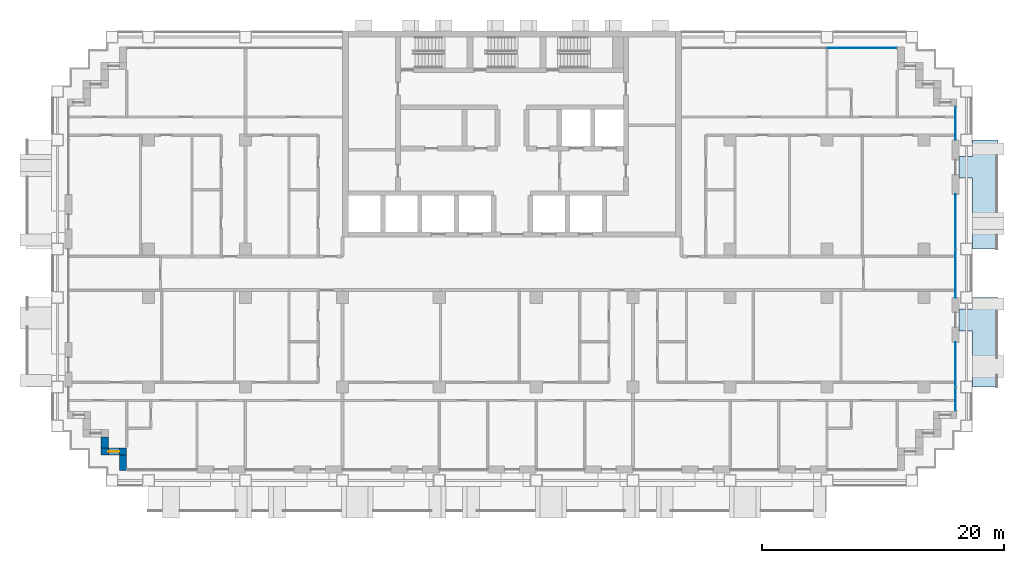
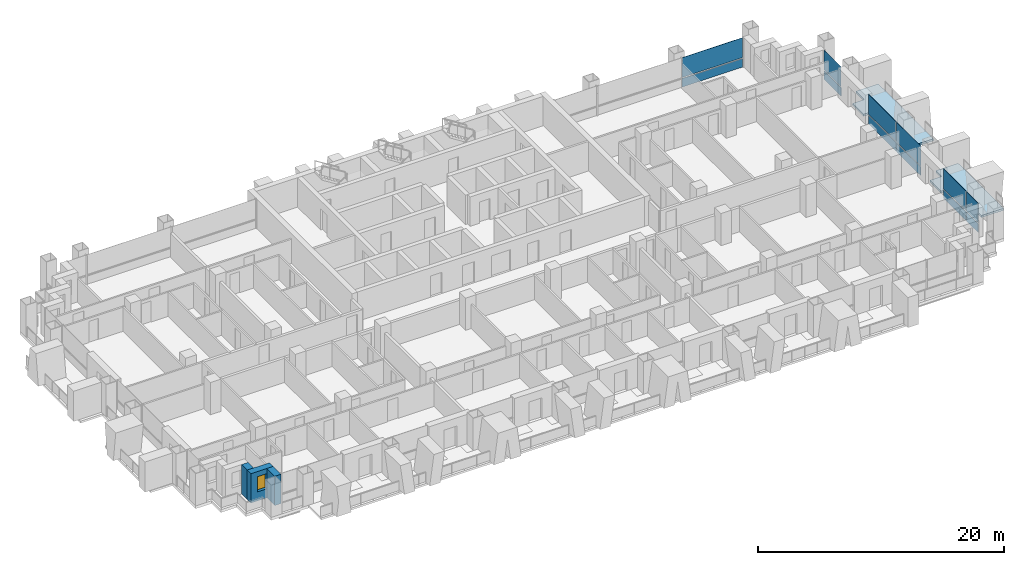
# One storey, part 8 of 18: 12 plates, 3 walls, 2 slabs, 1 window, 1 opening, 4 elements without a shape of their own.
"""IFC4 building model written with IfcOpenShell, lengths in metres."""

from ifc_helpers import new_model, si_unit, direction, frame, frame_2d, origin, origin_2d, place, context, subcontext, project, spatial, polyline, rectangle, outline, extrude, material, layer, layer_set, type_object, element, fill, aggregate, save


model = new_model("IFC4")

# Units and contexts
model_context = context("Model", 3, precision=1e-05, world=origin(), true_north=direction((0.0, 1.0)))
body_context = subcontext(model_context, "Body", "Model", "MODEL_VIEW")
ifc_project = project(units=[si_unit("LENGTHUNIT", "METRE"), si_unit("AREAUNIT", "SQUARE_METRE"), si_unit("VOLUMEUNIT", "CUBIC_METRE"), si_unit("PLANEANGLEUNIT", "RADIAN"), si_unit("MASSUNIT", "GRAM", prefix="KILO")], contexts=[model_context])

# Site, building, storey
site_placement = place(None, origin())
site = spatial("IfcSite", under=ifc_project, at=site_placement, CompositionType="ELEMENT")
building_placement = place(site_placement, origin())
building = spatial("IfcBuilding", under=site, at=building_placement, Name="Vidyagriha Tower", CompositionType="ELEMENT")
storey_placement = place(building_placement, frame((0.0, 0.0, 51.199951171875)))
storey = spatial("IfcBuildingStorey", under=building, at=storey_placement, Name="L13", CompositionType="ELEMENT", Elevation=51.199951171875)

# Curtain wall, plate
ifc_material_1 = material(Name="Aluminium and glass curtain wall", Category="aluminium")
curtain_wall_type = type_object("IfcCurtainWallType", Name="Dwelling skin unitised curtain wall", PredefinedType="USERDEFINED", material=ifc_material_1)
curtain_wall_1_placement = place(storey_placement, origin())
curtain_wall_1 = element("IfcCurtainWall", 1, at=curtain_wall_1_placement, inside=storey, type_object=curtain_wall_type, Name="CW1 dwelling skin", ObjectType="UNITISED", PredefinedType="USERDEFINED")
ifc_material_2 = material(Name="Glass dark ceramic-fritted spandrel", Category="glass")
ifc_layer_1 = layer(ifc_material_2, 0.0400390625)
ifc_layer_set_1 = layer_set([ifc_layer_1], Name="Glass dark ceramic-fritted spandrel")
plate_type_1 = type_object("IfcPlateType", Name="Ceramic-fritted spandrel panel", PredefinedType="CURTAIN_PANEL", material=ifc_layer_set_1)
plate_1_placement = place(storey_placement, frame((28.882568359375, 18.60009765625, 0.0), z_axis=(0.0, 0.0, 1.0), x_axis=(-1.0, 0.0, 0.0)))
plate_1 = element("IfcPlate", 2, at=plate_1_placement, type_object=plate_type_1, Name="CW1 panel 1.1", PredefinedType="CURTAIN_PANEL", context=body_context, shape_type="SweptSolid", body=[
    extrude(rectangle(XDim=5.695068359375, YDim=0.0400390625, at=origin_2d()), origin(), (0.0, 0.0, 1.0), 0.85009765625),
])

# Curtain wall, plates
curtain_wall_2_placement = place(storey_placement, origin())
curtain_wall_2 = element("IfcCurtainWall", 3, at=curtain_wall_2_placement, inside=storey, type_object=curtain_wall_type, Name="CW1 dwelling skin", ObjectType="UNITISED", PredefinedType="USERDEFINED")
plate_2_placement = place(storey_placement, frame((36.60009765625, -10.382568359375, 0.0), z_axis=(0.0, 0.0, 1.0), x_axis=(0.0, 1.0, 0.0)))
plate_2 = element("IfcPlate", 4, at=plate_2_placement, type_object=plate_type_1, Name="CW1 panel 1.1", PredefinedType="CURTAIN_PANEL", context=body_context, shape_type="SweptSolid", body=[
    extrude(rectangle(XDim=1.89501953125, YDim=0.0400390625, at=origin_2d()), origin(), (0.0, 0.0, 1.0), 0.85009765625),
])
plate_3_placement = place(storey_placement, frame((36.60009765625, -7.532470703125, 0.0), z_axis=(0.0, 0.0, 1.0), x_axis=(0.0, 1.0, 0.0)))
plate_3 = element("IfcPlate", 5, at=plate_3_placement, type_object=plate_type_1, Name="CW1 panel 2.1", PredefinedType="CURTAIN_PANEL", context=body_context, shape_type="SweptSolid", body=[
    extrude(rectangle(XDim=3.6650390625, YDim=0.0400390625, at=origin_2d()), origin(), (0.0, 0.0, 1.0), 0.85009765625),
])

# Curtain wall, plate
curtain_wall_3_placement = place(storey_placement, origin())
curtain_wall_3 = element("IfcCurtainWall", 6, at=curtain_wall_3_placement, inside=storey, type_object=curtain_wall_type, Name="CW1 dwelling skin", ObjectType="UNITISED", PredefinedType="USERDEFINED")
plate_4_placement = place(storey_placement, frame((36.60009765625, 12.364990234375, 0.0), z_axis=(0.0, 0.0, 1.0), x_axis=(0.0, 1.0, 0.0)))
plate_4 = element("IfcPlate", 7, at=plate_4_placement, type_object=plate_type_1, Name="CW1 panel 1.1", PredefinedType="CURTAIN_PANEL", context=body_context, shape_type="SweptSolid", body=[
    extrude(rectangle(XDim=2.72998046875, YDim=0.0400390625, at=origin_2d()), origin(), (0.0, 0.0, 1.0), 0.85009765625),
])

# Plate
ifc_material_3 = material(Name="Glass dark ceramic-fritted", Category="glass")
ifc_layer_2 = layer(ifc_material_3, 0.028076171875)
ifc_layer_set_2 = layer_set([ifc_layer_2], Name="Glass dark ceramic-fritted")
plate_type_2 = type_object("IfcPlateType", Name="Dark ceramic-fritted vision glass panel", PredefinedType="CURTAIN_PANEL", material=ifc_layer_set_2)
plate_5_placement = place(storey_placement, frame((28.882568359375, 18.60009765625, 0.9501953125), z_axis=(0.0, 0.0, 1.0), x_axis=(-1.0, 0.0, 0.0)))
plate_5 = element("IfcPlate", 8, at=plate_5_placement, type_object=plate_type_2, Name="CW1 panel 1.2", PredefinedType="CURTAIN_PANEL", context=body_context, shape_type="SweptSolid", body=[
    extrude(rectangle(XDim=5.695068359375, YDim=0.028076171875, at=origin_2d()), origin(), (0.0, 0.0, 1.0), 1.969970703125),
])

aggregate(curtain_wall_1, [plate_1, plate_5])

plate_6_placement = place(storey_placement, frame((36.60009765625, -10.382568359375, 0.9501953125), z_axis=(0.0, 0.0, 1.0), x_axis=(0.0, 1.0, 0.0)))
plate_6 = element("IfcPlate", 9, at=plate_6_placement, type_object=plate_type_2, Name="CW1 panel 1.2", PredefinedType="CURTAIN_PANEL", context=body_context, shape_type="SweptSolid", body=[
    extrude(rectangle(XDim=1.89501953125, YDim=0.028076171875, at=origin_2d()), origin(), (0.0, 0.0, 1.0), 1.969970703125),
])

plate_7_placement = place(storey_placement, frame((36.60009765625, -7.532470703125, 0.9501953125), z_axis=(0.0, 0.0, 1.0), x_axis=(0.0, 1.0, 0.0)))
plate_7 = element("IfcPlate", 10, at=plate_7_placement, type_object=plate_type_2, Name="CW1 panel 2.2", PredefinedType="CURTAIN_PANEL", context=body_context, shape_type="SweptSolid", body=[
    extrude(rectangle(XDim=3.6650390625, YDim=0.028076171875, at=origin_2d()), origin(), (0.0, 0.0, 1.0), 1.969970703125),
])

aggregate(curtain_wall_2, [plate_2, plate_6, plate_3, plate_7])

# Curtain wall, plates
curtain_wall_4_placement = place(storey_placement, origin())
curtain_wall_4 = element("IfcCurtainWall", 11, at=curtain_wall_4_placement, inside=storey, type_object=curtain_wall_type, Name="CW1 dwelling skin", ObjectType="UNITISED", PredefinedType="USERDEFINED")
plate_8_placement = place(storey_placement, frame((36.60009765625, -0.017578125, 0.9501953125), z_axis=(0.0, 0.0, 1.0), x_axis=(0.0, 1.0, 0.0)))
plate_8 = element("IfcPlate", 12, at=plate_8_placement, type_object=plate_type_2, Name="CW1 panel 1.2", PredefinedType="CURTAIN_PANEL", context=body_context, shape_type="SweptSolid", body=[
    extrude(rectangle(XDim=3.965087890625, YDim=0.028076171875, at=origin_2d()), origin(), (0.0, 0.0, 1.0), 1.969970703125),
])
plate_9_placement = place(storey_placement, frame((36.60009765625, 4.267578125, 0.9501953125), z_axis=(0.0, 0.0, 1.0), x_axis=(0.0, 1.0, 0.0)))
plate_9 = element("IfcPlate", 13, at=plate_9_placement, type_object=plate_type_2, Name="CW1 panel 2.2", PredefinedType="CURTAIN_PANEL", context=body_context, shape_type="SweptSolid", body=[
    extrude(rectangle(XDim=4.465087890625, YDim=0.028076171875, at=origin_2d()), origin(), (0.0, 0.0, 1.0), 1.969970703125),
])

# Plate
plate_10_placement = place(storey_placement, frame((36.60009765625, 12.364990234375, 0.9501953125), z_axis=(0.0, 0.0, 1.0), x_axis=(0.0, 1.0, 0.0)))
plate_10 = element("IfcPlate", 14, at=plate_10_placement, type_object=plate_type_2, Name="CW1 panel 1.2", PredefinedType="CURTAIN_PANEL", context=body_context, shape_type="SweptSolid", body=[
    extrude(rectangle(XDim=2.72998046875, YDim=0.028076171875, at=origin_2d()), origin(), (0.0, 0.0, 1.0), 1.969970703125),
])

aggregate(curtain_wall_3, [plate_4, plate_10])

ifc_material_4 = material(Name="Aluminium black anodised", Category="aluminium")
ifc_layer_3 = layer(ifc_material_4, 0.06005859375)
ifc_layer_set_3 = layer_set([ifc_layer_3], Name="Aluminium black anodised")
plate_type_3 = type_object("IfcPlateType", Name="Operable black-metal vent panel", PredefinedType="CURTAIN_PANEL", material=ifc_layer_set_3)
plate_11_placement = place(storey_placement, frame((36.60009765625, -0.017578125, 0.0), z_axis=(0.0, 0.0, 1.0), x_axis=(0.0, 1.0, 0.0)))
plate_11 = element("IfcPlate", 15, at=plate_11_placement, type_object=plate_type_3, Name="CW1 panel 1.1", PredefinedType="CURTAIN_PANEL", context=body_context, shape_type="SweptSolid", body=[
    extrude(rectangle(XDim=3.965087890625, YDim=0.06005859375, at=origin_2d()), origin(), (0.0, 0.0, 1.0), 0.85009765625),
])

plate_12_placement = place(storey_placement, frame((36.60009765625, 4.267578125, 0.0), z_axis=(0.0, 0.0, 1.0), x_axis=(0.0, 1.0, 0.0)))
plate_12 = element("IfcPlate", 16, at=plate_12_placement, type_object=plate_type_3, Name="CW1 panel 2.1", PredefinedType="CURTAIN_PANEL", context=body_context, shape_type="SweptSolid", body=[
    extrude(rectangle(XDim=4.465087890625, YDim=0.06005859375, at=origin_2d()), origin(), (0.0, 0.0, 1.0), 0.85009765625),
])

aggregate(curtain_wall_4, [plate_11, plate_8, plate_12, plate_9])

# Slabs
ifc_material_5 = material(Name="Precast concrete C40/50", Category="concrete")
ifc_layer_4 = layer(ifc_material_5, 0.199951171875)
ifc_layer_set_4 = layer_set([ifc_layer_4], Name="Precast concrete C40/50")
slab_type = type_object("IfcSlabType", Name="Precast balcony slab 200", PredefinedType="USERDEFINED", material=ifc_layer_set_4)
slab_1_placement = place(storey_placement, frame((0.0, 0.0, -0.199951171875)))
element("IfcSlab", 17, at=slab_1_placement, inside=storey, type_object=slab_type, Name="Balcony slab L13 R30.1-1", ObjectType="BALCONY", PredefinedType="USERDEFINED", context=body_context, shape_type="SweptSolid", body=[
    extrude(outline(polyline([(38.0, -4.75), (38.0, -9.39990234375), (40.10009765625, -9.39990234375), (40.10009765625, -2.0), (38.0, -2.0), (38.0, -2.949951171875), (36.89990234375, -2.949951171875), (36.89990234375, -4.75), (38.0, -4.75)])), origin(), (0.0, 0.0, 1.0), 0.199951171875),
])
slab_2_placement = place(storey_placement, frame((0.0, 0.0, -0.199951171875)))
element("IfcSlab", 18, at=slab_2_placement, inside=storey, type_object=slab_type, Name="Balcony slab L13 R30.2-2", ObjectType="BALCONY", PredefinedType="USERDEFINED", context=body_context, shape_type="SweptSolid", body=[
    extrude(outline(polyline([(38.0, 7.85009765625), (38.0, 2.0), (40.10009765625, 2.0), (40.10009765625, 11.0), (38.0, 11.0), (38.0, 9.64990234375), (36.89990234375, 9.64990234375), (36.89990234375, 7.85009765625), (38.0, 7.85009765625)])), origin(), (0.0, 0.0, 1.0), 0.199951171875),
])

# Wall
ifc_material_6 = material(Name="Precast concrete C40/50 with brick facing", Category="concrete")
ifc_layer_5 = layer(ifc_material_6, 0.60009765625)
ifc_layer_set_5 = layer_set([ifc_layer_5], Name="Precast concrete C40/50 with brick facing")
wall_type = type_object("IfcWallType", Name="Brick-faced precast wall 600", PredefinedType="STANDARD", material=ifc_layer_set_5)
wall_1_placement = place(storey_placement, frame((-33.60009765625, -13.5, 0.0), z_axis=(0.0, 0.0, 1.0), x_axis=(0.0, -1.0, 0.0)))
element("IfcWall", 19, at=wall_1_placement, inside=storey, type_object=wall_type, Name="Stepped corner wall L13 R20", PredefinedType="STANDARD", context=body_context, shape_type="SweptSolid", body=[
    extrude(rectangle(XDim=0.89990234375, YDim=0.60009765625, at=frame_2d((0.449951171875, 0.0))), origin(), (0.0, 0.0, 1.0), 2.920166015625),
])

# Wall, opening, window
wall_2_placement = place(storey_placement, frame((-33.89990234375, -14.699951171875, 0.0)))
wall_2 = element("IfcWall", 20, at=wall_2_placement, inside=storey, type_object=wall_type, Name="Stepped corner wall L13 R21", PredefinedType="STANDARD", context=body_context, shape_type="SweptSolid", body=[
    extrude(rectangle(XDim=2.099853515625, YDim=0.60009765625, at=frame_2d((1.0498046875, 0.0))), origin(), (0.0, 0.0, 1.0), 2.920166015625),
])
opening_placement = place(wall_2_placement, frame((0.60009765625, 0.0, 0.89990234375)))
opening = element("IfcOpeningElement", 21, at=opening_placement, cuts=wall_2, Name="Opening WN1", PredefinedType="OPENING", context=body_context, shape_type="SweptSolid", body=[
    extrude(rectangle(XDim=0.89990234375, YDim=1.5, at=frame_2d((0.449951171875, 0.75))), frame((0.0, 0.31005859375, 0.0), z_axis=(0.0, -1.0, 0.0), x_axis=(1.0, 0.0, 0.0)), (0.0, 0.0, 1.0), 0.6201171875),
])
ifc_material_7 = material(Name="Aluminium and glass window", Category="aluminium")
window_type = type_object("IfcWindowType", Name="Reveal window 900x1500", PartitioningType="NOTDEFINED", PredefinedType="WINDOW", material=ifc_material_7)
window_placement = place(opening_placement, origin())
window = element("IfcWindow", 22, at=window_placement, inside=storey, type_object=window_type, Name="Reveal window L13 R21", OverallHeight=1.5, OverallWidth=0.89990234375, PartitioningType="SINGLE_PANEL", PredefinedType="WINDOW", context=body_context, shape_type="SweptSolid", body=[
    extrude(rectangle(XDim=0.89990234375, YDim=1.5, at=frame_2d((0.449951171875, 0.75))), frame((0.0, 0.030029296875, 0.0), z_axis=(0.0, -1.0, 0.0), x_axis=(1.0, 0.0, 0.0)), (0.0, 0.0, 1.0), 0.06005859375),
])
fill(opening, window)

# Wall
wall_3_placement = place(storey_placement, frame((-32.10009765625, -15.0, 0.0), z_axis=(0.0, 0.0, 1.0), x_axis=(0.0, -1.0, 0.0)))
element("IfcWall", 23, at=wall_3_placement, inside=storey, type_object=wall_type, Name="Stepped corner wall L13 R22", PredefinedType="STANDARD", context=body_context, shape_type="SweptSolid", body=[
    extrude(rectangle(XDim=1.280029296875, YDim=0.60009765625, at=frame_2d((0.64013671875, 0.0))), origin(), (0.0, 0.0, 1.0), 2.920166015625),
])

save(model, "model.ifc")
